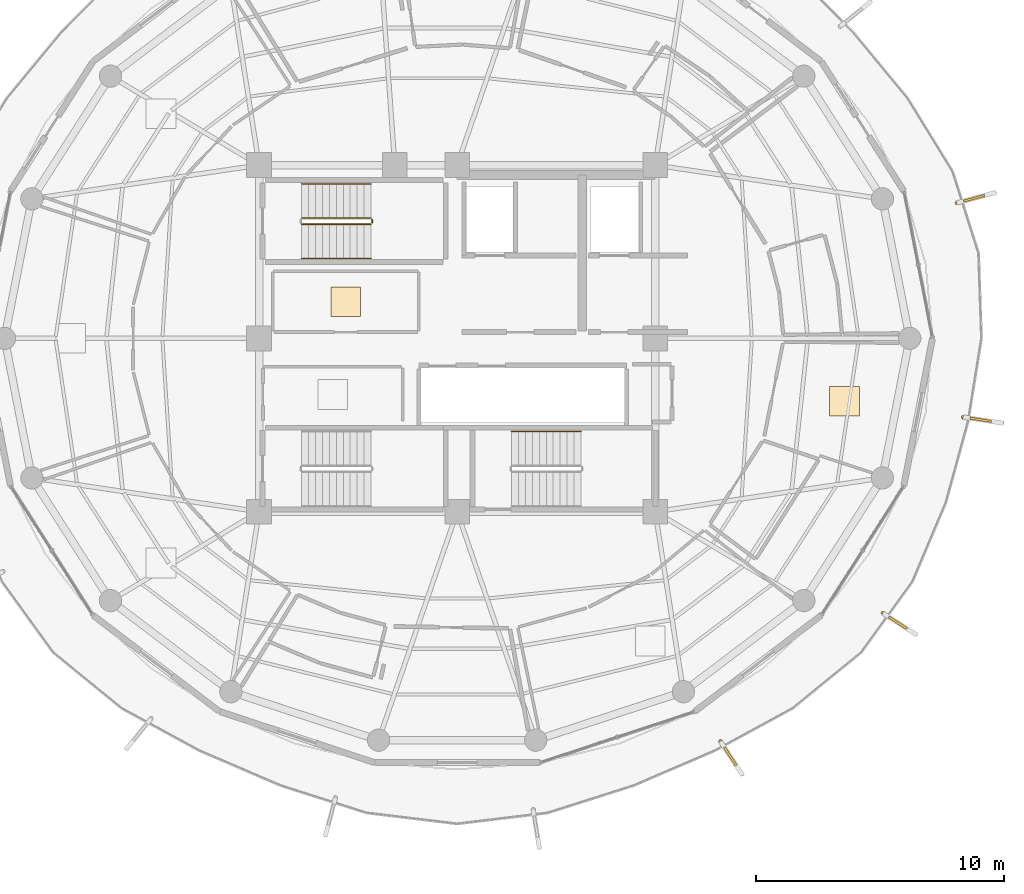
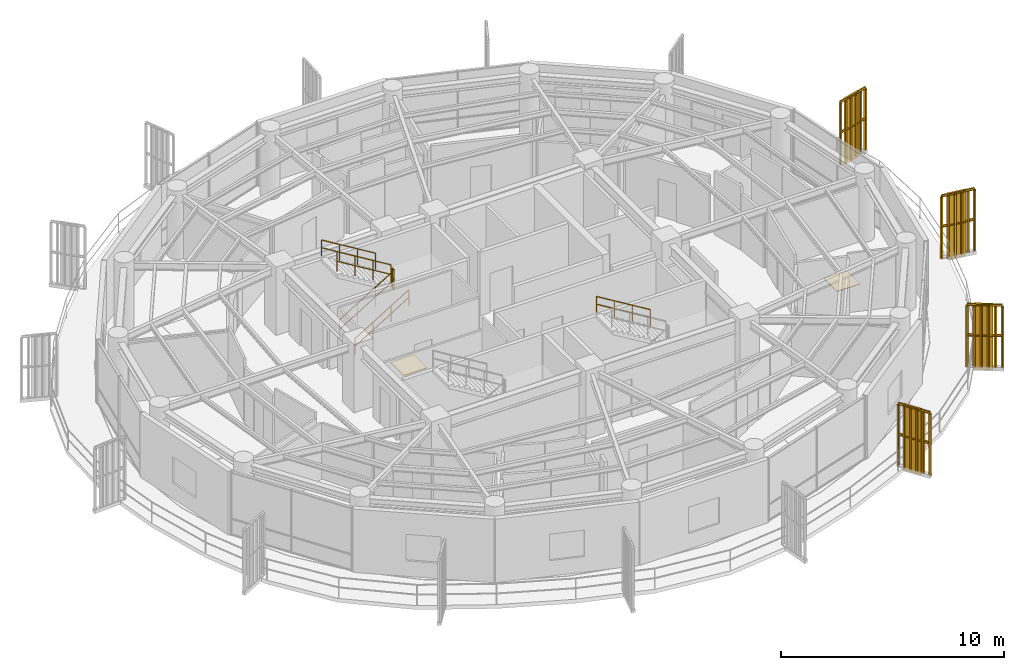
# One storey, part 22 of 23: 10 railings, 4 shading devices, 2 coverings.
"""IFC4 building model written with IfcOpenShell, lengths in metres."""

from ifc_helpers import new_model, si_unit, direction, frame, origin, origin_2d, place, context, subcontext, project, spatial, polyline, rectangle, outline, extrude, source, transform, mapped, material, layer, layer_set, type_object, element, save


model = new_model("IFC4")

# Units and contexts
model_context = context("Model", 3, precision=1e-05, world=origin(), true_north=direction((0.0, 1.0)))
body_context = subcontext(model_context, "Body", "Model", "MODEL_VIEW")
ifc_project = project(units=[si_unit("LENGTHUNIT", "METRE"), si_unit("AREAUNIT", "SQUARE_METRE"), si_unit("VOLUMEUNIT", "CUBIC_METRE"), si_unit("PLANEANGLEUNIT", "RADIAN"), si_unit("MASSUNIT", "GRAM", prefix="KILO")], contexts=[model_context])

# Site, building, storey
site_placement = place(None, origin())
site = spatial("IfcSite", under=ifc_project, at=site_placement, CompositionType="ELEMENT")
building_placement = place(site_placement, origin())
building = spatial("IfcBuilding", under=site, at=building_placement, Name="Kelanora Arch Commons", CompositionType="ELEMENT")
storey_placement = place(building_placement, frame((0.0, 0.0, 256.199951171875)))
storey = spatial("IfcBuildingStorey", under=building, at=storey_placement, Name="L65", CompositionType="ELEMENT", Elevation=256.199951171875)

# Railings
ifc_material_1 = material(Name="Anodised bronze vertical shading fin rib assembly")
railing_type_1 = type_object("IfcRailingType", Name="RAIL-FIN-BRZ", PredefinedType="BALUSTRADE", material=ifc_material_1)
railing_1_placement = place(storey_placement, frame((91.1953125, 46.90283203125, -0.02001953125)))
element("IfcRailing", 1, at=railing_1_placement, inside=storey, type_object=railing_type_1, Name="Sweeping Bronze Vertical Fin Blade L65-00", PredefinedType="BALUSTRADE", context=body_context, shape_type="SweptSolid", body=[
    extrude(outline(polyline([(0.06982421875, 0.0), (0.034912109375, 0.060546875), (-0.034912109375, 0.060546875), (-0.06982421875, 0.0), (-0.034912109375, -0.060546875), (0.034912109375, -0.060546875), (0.06982421875, 0.0)])), frame((0.0, 0.0, 3.419921875), z_axis=(0.840188208758, -0.542294914105, 0.0), x_axis=(0.542294914105, 0.840188208758, 0.0)), (0.0, 0.0, 1.0), 1.58837890625),
    extrude(outline(polyline([(0.06982421875, 0.0), (0.034912109375, 0.060546875), (-0.034912109375, 0.060546875), (-0.06982421875, 0.0), (-0.034912109375, -0.060546875), (0.034912109375, -0.060546875), (0.06982421875, 0.0)])), frame((0.0, 0.0, 1.7451171875), z_axis=(0.840188208758, -0.542294914105, 0.0), x_axis=(0.542294914105, 0.840188208758, 0.0)), (0.0, 0.0, 1.0), 1.58837890625),
    extrude(outline(polyline([(0.080078125, 0.0), (0.0400390625, 0.0693359375), (-0.0400390625, 0.0693359375), (-0.080078125, 0.0), (-0.0400390625, -0.0693359375), (0.0400390625, -0.0693359375), (0.080078125, 0.0)])), origin(), (0.0, 0.0, 1.0), 3.35009765625),
    extrude(outline(polyline([(0.080078125, 0.0), (0.0400390625, 0.0693359375), (-0.0400390625, 0.0693359375), (-0.080078125, 0.0), (-0.0400390625, -0.0693359375), (0.0400390625, -0.0693359375), (0.080078125, 0.0)])), frame((0.266845703125, -0.17236328125, 0.0)), (0.0, 0.0, 1.0), 3.35009765625),
    extrude(outline(polyline([(0.080078125, 0.0), (0.0400390625, 0.0693359375), (-0.0400390625, 0.0693359375), (-0.080078125, 0.0), (-0.0400390625, -0.0693359375), (0.0400390625, -0.0693359375), (0.080078125, 0.0)])), frame((0.53369140625, -0.344482421875, 0.0)), (0.0, 0.0, 1.0), 3.35009765625),
    extrude(outline(polyline([(0.080078125, 0.0), (0.0400390625, 0.0693359375), (-0.0400390625, 0.0693359375), (-0.080078125, 0.0), (-0.0400390625, -0.0693359375), (0.0400390625, -0.0693359375), (0.080078125, 0.0)])), frame((0.80078125, -0.516845703125, 0.0)), (0.0, 0.0, 1.0), 3.35009765625),
    extrude(outline(polyline([(0.080078125, 0.0), (0.0400390625, 0.0693359375), (-0.0400390625, 0.0693359375), (-0.080078125, 0.0), (-0.0400390625, -0.0693359375), (0.0400390625, -0.0693359375), (0.080078125, 0.0)])), frame((1.067626953125, -0.68896484375, 0.0)), (0.0, 0.0, 1.0), 3.35009765625),
    extrude(outline(polyline([(0.080078125, 0.0), (0.0400390625, 0.0693359375), (-0.0400390625, 0.0693359375), (-0.080078125, 0.0), (-0.0400390625, -0.0693359375), (0.0400390625, -0.0693359375), (0.080078125, 0.0)])), frame((1.33447265625, -0.861328125, 0.0)), (0.0, 0.0, 1.0), 3.35009765625),
])
railing_2_placement = place(storey_placement, frame((94.439208984375, 54.822265625, -0.02001953125)))
element("IfcRailing", 2, at=railing_2_placement, inside=storey, type_object=railing_type_1, Name="Sweeping Bronze Vertical Fin Blade L65-01", PredefinedType="BALUSTRADE", context=body_context, shape_type="SweptSolid", body=[
    extrude(outline(polyline([(0.06982421875, 0.0), (0.034912109375, 0.060546875), (-0.034912109375, 0.060546875), (-0.06982421875, 0.0), (-0.034912109375, -0.060546875), (0.034912109375, -0.060546875), (0.06982421875, 0.0)])), frame((0.0, 0.0, 3.419921875), z_axis=(0.988137731807, -0.153570254212, 0.0), x_axis=(0.153570254212, 0.988137731807, 0.0)), (0.0, 0.0, 1.0), 1.588134765625),
    extrude(outline(polyline([(0.06982421875, 0.0), (0.034912109375, 0.060546875), (-0.034912109375, 0.060546875), (-0.06982421875, 0.0), (-0.034912109375, -0.060546875), (0.034912109375, -0.060546875), (0.06982421875, 0.0)])), frame((0.0, 0.0, 1.7451171875), z_axis=(0.988137731807, -0.153570254212, 0.0), x_axis=(0.153570254212, 0.988137731807, 0.0)), (0.0, 0.0, 1.0), 1.588134765625),
    extrude(outline(polyline([(0.080078125, 0.0), (0.0400390625, 0.0693359375), (-0.0400390625, 0.0693359375), (-0.080078125, 0.0), (-0.0400390625, -0.0693359375), (0.0400390625, -0.0693359375), (0.080078125, 0.0)])), origin(), (0.0, 0.0, 1.0), 3.35009765625),
    extrude(outline(polyline([(0.080078125, 0.0), (0.0400390625, 0.0693359375), (-0.0400390625, 0.0693359375), (-0.080078125, 0.0), (-0.0400390625, -0.0693359375), (0.0400390625, -0.0693359375), (0.080078125, 0.0)])), frame((0.31396484375, -0.048828125, 0.0)), (0.0, 0.0, 1.0), 3.35009765625),
    extrude(outline(polyline([(0.080078125, 0.0), (0.0400390625, 0.0693359375), (-0.0400390625, 0.0693359375), (-0.080078125, 0.0), (-0.0400390625, -0.0693359375), (0.0400390625, -0.0693359375), (0.080078125, 0.0)])), frame((0.627685546875, -0.09765625, 0.0)), (0.0, 0.0, 1.0), 3.35009765625),
    extrude(outline(polyline([(0.080078125, 0.0), (0.0400390625, 0.0693359375), (-0.0400390625, 0.0693359375), (-0.080078125, 0.0), (-0.0400390625, -0.0693359375), (0.0400390625, -0.0693359375), (0.080078125, 0.0)])), frame((0.941650390625, -0.146240234375, 0.0)), (0.0, 0.0, 1.0), 3.35009765625),
    extrude(outline(polyline([(0.080078125, 0.0), (0.0400390625, 0.0693359375), (-0.0400390625, 0.0693359375), (-0.080078125, 0.0), (-0.0400390625, -0.0693359375), (0.0400390625, -0.0693359375), (0.080078125, 0.0)])), frame((1.25537109375, -0.195068359375, 0.0)), (0.0, 0.0, 1.0), 3.35009765625),
    extrude(outline(polyline([(0.080078125, 0.0), (0.0400390625, 0.0693359375), (-0.0400390625, 0.0693359375), (-0.080078125, 0.0), (-0.0400390625, -0.0693359375), (0.0400390625, -0.0693359375), (0.080078125, 0.0)])), frame((1.5693359375, -0.243896484375, 0.0)), (0.0, 0.0, 1.0), 3.35009765625),
])
railing_3_placement = place(storey_placement, frame((94.18310546875, 63.469482421875, -0.02001953125)))
element("IfcRailing", 3, at=railing_3_placement, inside=storey, type_object=railing_type_1, Name="Sweeping Bronze Vertical Fin Blade L65-02", PredefinedType="BALUSTRADE", context=body_context, shape_type="SweptSolid", body=[
    extrude(outline(polyline([(0.06982421875, 0.0), (0.034912109375, 0.060546875), (-0.034912109375, 0.060546875), (-0.06982421875, 0.0), (-0.034912109375, -0.060546875), (0.034912109375, -0.060546875), (0.06982421875, 0.0)])), frame((0.0, 0.0, 3.419921875), z_axis=(0.96517059521, 0.2616213335, 0.0), x_axis=(-0.2616213335, 0.96517059521, 0.0)), (0.0, 0.0, 1.0), 1.58837890625),
    extrude(outline(polyline([(0.06982421875, 0.0), (0.034912109375, 0.060546875), (-0.034912109375, 0.060546875), (-0.06982421875, 0.0), (-0.034912109375, -0.060546875), (0.034912109375, -0.060546875), (0.06982421875, 0.0)])), frame((0.0, 0.0, 1.7451171875), z_axis=(0.96517059521, 0.2616213335, 0.0), x_axis=(-0.2616213335, 0.96517059521, 0.0)), (0.0, 0.0, 1.0), 1.58837890625),
    extrude(outline(polyline([(0.080078125, 0.0), (0.0400390625, 0.0693359375), (-0.0400390625, 0.0693359375), (-0.080078125, 0.0), (-0.0400390625, -0.0693359375), (0.0400390625, -0.0693359375), (0.080078125, 0.0)])), origin(), (0.0, 0.0, 1.0), 3.35009765625),
    extrude(outline(polyline([(0.080078125, 0.0), (0.0400390625, 0.0693359375), (-0.0400390625, 0.0693359375), (-0.080078125, 0.0), (-0.0400390625, -0.0693359375), (0.0400390625, -0.0693359375), (0.080078125, 0.0)])), frame((0.306640625, 0.0830078125, 0.0)), (0.0, 0.0, 1.0), 3.35009765625),
    extrude(outline(polyline([(0.080078125, 0.0), (0.0400390625, 0.0693359375), (-0.0400390625, 0.0693359375), (-0.080078125, 0.0), (-0.0400390625, -0.0693359375), (0.0400390625, -0.0693359375), (0.080078125, 0.0)])), frame((0.61328125, 0.166259765625, 0.0)), (0.0, 0.0, 1.0), 3.35009765625),
    extrude(outline(polyline([(0.080078125, 0.0), (0.0400390625, 0.0693359375), (-0.0400390625, 0.0693359375), (-0.080078125, 0.0), (-0.0400390625, -0.0693359375), (0.0400390625, -0.0693359375), (0.080078125, 0.0)])), frame((0.919677734375, 0.249267578125, 0.0)), (0.0, 0.0, 1.0), 3.35009765625),
    extrude(outline(polyline([(0.080078125, 0.0), (0.0400390625, 0.0693359375), (-0.0400390625, 0.0693359375), (-0.080078125, 0.0), (-0.0400390625, -0.0693359375), (0.0400390625, -0.0693359375), (0.080078125, 0.0)])), frame((1.226318359375, 0.33251953125, 0.0)), (0.0, 0.0, 1.0), 3.35009765625),
    extrude(outline(polyline([(0.080078125, 0.0), (0.0400390625, 0.0693359375), (-0.0400390625, 0.0693359375), (-0.080078125, 0.0), (-0.0400390625, -0.0693359375), (0.0400390625, -0.0693359375), (0.080078125, 0.0)])), frame((1.532958984375, 0.41552734375, 0.0)), (0.0, 0.0, 1.0), 3.35009765625),
])
railing_4_placement = place(storey_placement, frame((84.63525390625, 41.724609375, -0.02001953125)))
element("IfcRailing", 4, at=railing_4_placement, inside=storey, type_object=railing_type_1, Name="Sweeping Bronze Vertical Fin Blade L65-14", PredefinedType="BALUSTRADE", context=body_context, shape_type="SweptSolid", body=[
    extrude(outline(polyline([(0.06982421875, 0.0), (0.034912109375, 0.060546875), (-0.034912109375, 0.060546875), (-0.06982421875, 0.0), (-0.034912109375, -0.060546875), (0.034912109375, -0.060546875), (0.06982421875, 0.0)])), frame((0.0, 0.0, 3.419921875), z_axis=(0.54705056111, -0.837099566115, 0.0), x_axis=(0.837099566115, 0.54705056111, 0.0)), (0.0, 0.0, 1.0), 1.58837890625),
    extrude(outline(polyline([(0.06982421875, 0.0), (0.034912109375, 0.060546875), (-0.034912109375, 0.060546875), (-0.06982421875, 0.0), (-0.034912109375, -0.060546875), (0.034912109375, -0.060546875), (0.06982421875, 0.0)])), frame((0.0, 0.0, 1.7451171875), z_axis=(0.54705056111, -0.837099566115, 0.0), x_axis=(0.837099566115, 0.54705056111, 0.0)), (0.0, 0.0, 1.0), 1.58837890625),
    extrude(outline(polyline([(0.080078125, 0.0), (0.0400390625, 0.0693359375), (-0.0400390625, 0.0693359375), (-0.080078125, 0.0), (-0.0400390625, -0.0693359375), (0.0400390625, -0.0693359375), (0.080078125, 0.0)])), origin(), (0.0, 0.0, 1.0), 3.35009765625),
    extrude(outline(polyline([(0.080078125, 0.0), (0.0400390625, 0.0693359375), (-0.0400390625, 0.0693359375), (-0.080078125, 0.0), (-0.0400390625, -0.0693359375), (0.0400390625, -0.0693359375), (0.080078125, 0.0)])), frame((0.173828125, -0.265869140625, 0.0)), (0.0, 0.0, 1.0), 3.35009765625),
    extrude(outline(polyline([(0.080078125, 0.0), (0.0400390625, 0.0693359375), (-0.0400390625, 0.0693359375), (-0.080078125, 0.0), (-0.0400390625, -0.0693359375), (0.0400390625, -0.0693359375), (0.080078125, 0.0)])), frame((0.34765625, -0.53173828125, 0.0)), (0.0, 0.0, 1.0), 3.35009765625),
    extrude(outline(polyline([(0.080078125, 0.0), (0.0400390625, 0.0693359375), (-0.0400390625, 0.0693359375), (-0.080078125, 0.0), (-0.0400390625, -0.0693359375), (0.0400390625, -0.0693359375), (0.080078125, 0.0)])), frame((0.521240234375, -0.7978515625, 0.0)), (0.0, 0.0, 1.0), 3.35009765625),
    extrude(outline(polyline([(0.080078125, 0.0), (0.0400390625, 0.0693359375), (-0.0400390625, 0.0693359375), (-0.080078125, 0.0), (-0.0400390625, -0.0693359375), (0.0400390625, -0.0693359375), (0.080078125, 0.0)])), frame((0.695068359375, -1.063720703125, 0.0)), (0.0, 0.0, 1.0), 3.35009765625),
    extrude(outline(polyline([(0.080078125, 0.0), (0.0400390625, 0.0693359375), (-0.0400390625, 0.0693359375), (-0.080078125, 0.0), (-0.0400390625, -0.0693359375), (0.0400390625, -0.0693359375), (0.080078125, 0.0)])), frame((0.868896484375, -1.32958984375, 0.0)), (0.0, 0.0, 1.0), 3.35009765625),
])
ifc_material_2 = material(Name="Painted steel stair well guard", Category="steel")
railing_type_2 = type_object("IfcRailingType", Name="RAIL-STAIR-GRD", PredefinedType="GUARDRAIL", material=ifc_material_2)
railing_5_placement = place(storey_placement, frame((67.719970703125, 62.610107421875, 0.17041015625)))
element("IfcRailing", 5, at=railing_5_placement, inside=storey, type_object=railing_type_2, Name="L65 ST-T1 stair guard 1", PredefinedType="GUARDRAIL", context=body_context, shape_type="SweptSolid", body=[
    extrude(outline(polyline([(0.02392578125, 0.0), (0.011962890625, 0.020751953125), (-0.011962890625, 0.020751953125), (-0.02392578125, 0.0), (-0.011962890625, -0.020751953125), (0.011962890625, -0.020751953125), (0.02392578125, 0.0)])), frame((0.0, 0.0, 1.076171875), z_axis=(0.854169791009, 0.0, 0.51999420009), x_axis=(0.0, 1.0, 0.0)), (0.0, 0.0, 1.0), 3.278076171875),
    extrude(outline(polyline([(0.02392578125, 0.0), (0.011962890625, 0.020751953125), (-0.011962890625, 0.020751953125), (-0.02392578125, 0.0), (-0.011962890625, -0.020751953125), (0.011962890625, -0.020751953125), (0.02392578125, 0.0)])), frame((0.0, 0.0, 0.550048828125), z_axis=(0.854169791009, 0.0, 0.51999420009), x_axis=(0.0, 1.0, 0.0)), (0.0, 0.0, 1.0), 3.278076171875),
    extrude(outline(polyline([(0.02099609375, 0.0), (0.010498046875, 0.01806640625), (-0.010498046875, 0.01806640625), (-0.02099609375, 0.0), (-0.010498046875, -0.01806640625), (0.010498046875, -0.01806640625), (0.02099609375, 0.0)])), origin(), (0.0, 0.0, 1.0), 1.052001953125),
    extrude(outline(polyline([(0.02099609375, 0.0), (0.010498046875, 0.01806640625), (-0.010498046875, 0.01806640625), (-0.02099609375, 0.0), (-0.010498046875, -0.01806640625), (0.010498046875, -0.01806640625), (0.02099609375, 0.0)])), frame((0.933349609375, 0.0, 0.568115234375)), (0.0, 0.0, 1.0), 1.052001953125),
    extrude(outline(polyline([(0.02099609375, 0.0), (0.010498046875, 0.01806640625), (-0.010498046875, 0.01806640625), (-0.02099609375, 0.0), (-0.010498046875, -0.01806640625), (0.010498046875, -0.01806640625), (0.02099609375, 0.0)])), frame((1.86669921875, 0.0, 1.136474609375)), (0.0, 0.0, 1.0), 1.052001953125),
    extrude(outline(polyline([(0.02099609375, 0.0), (0.010498046875, 0.01806640625), (-0.010498046875, 0.01806640625), (-0.02099609375, 0.0), (-0.010498046875, -0.01806640625), (0.010498046875, -0.01806640625), (0.02099609375, 0.0)])), frame((2.800048828125, 0.0, 1.70458984375)), (0.0, 0.0, 1.0), 1.052001953125),
])
railing_6_placement = place(storey_placement, frame((70.570068359375, 62.659912109375, 1.875)))
element("IfcRailing", 6, at=railing_6_placement, inside=storey, type_object=railing_type_2, Name="L65 ST-T1 stair guard 2", PredefinedType="GUARDRAIL", context=body_context, shape_type="SweptSolid", body=[
    extrude(outline(polyline([(0.02392578125, 0.0), (0.011962890625, 0.020751953125), (-0.011962890625, 0.020751953125), (-0.02392578125, 0.0), (-0.011962890625, -0.020751953125), (0.011962890625, -0.020751953125), (0.02392578125, 0.0)])), frame((0.0, 0.0, 1.076171875), z_axis=(0.0, 1.0, 0.0), x_axis=(-1.0, 0.0, 0.0)), (0.0, 0.0, 1.0), 0.150146484375),
    extrude(outline(polyline([(0.02392578125, 0.0), (0.011962890625, 0.020751953125), (-0.011962890625, 0.020751953125), (-0.02392578125, 0.0), (-0.011962890625, -0.020751953125), (0.011962890625, -0.020751953125), (0.02392578125, 0.0)])), frame((0.0, 0.0, 0.550048828125), z_axis=(0.0, 1.0, 0.0), x_axis=(-1.0, 0.0, 0.0)), (0.0, 0.0, 1.0), 0.150146484375),
    extrude(outline(polyline([(0.02099609375, 0.0), (0.010498046875, 0.01806640625), (-0.010498046875, 0.01806640625), (-0.02099609375, 0.0), (-0.010498046875, -0.01806640625), (0.010498046875, -0.01806640625), (0.02099609375, 0.0)])), origin(), (0.0, 0.0, 1.0), 1.052001953125),
    extrude(outline(polyline([(0.02099609375, 0.0), (0.010498046875, 0.01806640625), (-0.010498046875, 0.01806640625), (-0.02099609375, 0.0), (-0.010498046875, -0.01806640625), (0.010498046875, -0.01806640625), (0.02099609375, 0.0)])), frame((0.0, 0.150146484375, 0.0)), (0.0, 0.0, 1.0), 1.052001953125),
])
railing_7_placement = place(storey_placement, frame((70.52001953125, 62.860107421875, 2.04541015625)))
element("IfcRailing", 7, at=railing_7_placement, inside=storey, type_object=railing_type_2, Name="L65 ST-T1 stair guard 3", PredefinedType="GUARDRAIL", context=body_context, shape_type="SweptSolid", body=[
    extrude(outline(polyline([(0.02392578125, 0.0), (0.011962890625, 0.020751953125), (-0.011962890625, 0.020751953125), (-0.02392578125, 0.0), (-0.011962890625, -0.020751953125), (0.011962890625, -0.020751953125), (0.02392578125, 0.0)])), frame((0.0, 0.0, 1.076171875), z_axis=(-0.854169791009, 0.0, 0.51999420009), x_axis=(0.0, -1.0, 0.0)), (0.0, 0.0, 1.0), 3.278076171875),
    extrude(outline(polyline([(0.02392578125, 0.0), (0.011962890625, 0.020751953125), (-0.011962890625, 0.020751953125), (-0.02392578125, 0.0), (-0.011962890625, -0.020751953125), (0.011962890625, -0.020751953125), (0.02392578125, 0.0)])), frame((0.0, 0.0, 0.550048828125), z_axis=(-0.854169791009, 0.0, 0.51999420009), x_axis=(0.0, -1.0, 0.0)), (0.0, 0.0, 1.0), 3.278076171875),
    extrude(outline(polyline([(0.02099609375, 0.0), (0.010498046875, 0.01806640625), (-0.010498046875, 0.01806640625), (-0.02099609375, 0.0), (-0.010498046875, -0.01806640625), (0.010498046875, -0.01806640625), (0.02099609375, 0.0)])), origin(), (0.0, 0.0, 1.0), 1.052001953125),
    extrude(outline(polyline([(0.02099609375, 0.0), (0.010498046875, 0.01806640625), (-0.010498046875, 0.01806640625), (-0.02099609375, 0.0), (-0.010498046875, -0.01806640625), (0.010498046875, -0.01806640625), (0.02099609375, 0.0)])), frame((-0.933349609375, 0.0, 0.568115234375)), (0.0, 0.0, 1.0), 1.052001953125),
    extrude(outline(polyline([(0.02099609375, 0.0), (0.010498046875, 0.01806640625), (-0.010498046875, 0.01806640625), (-0.02099609375, 0.0), (-0.010498046875, -0.01806640625), (0.010498046875, -0.01806640625), (0.02099609375, 0.0)])), frame((-1.86669921875, 0.0, 1.136474609375)), (0.0, 0.0, 1.0), 1.052001953125),
    extrude(outline(polyline([(0.02099609375, 0.0), (0.010498046875, 0.01806640625), (-0.010498046875, 0.01806640625), (-0.02099609375, 0.0), (-0.010498046875, -0.01806640625), (0.010498046875, -0.01806640625), (0.02099609375, 0.0)])), frame((-2.800048828125, 0.0, 1.70458984375)), (0.0, 0.0, 1.0), 1.052001953125),
])
ifc_material_3 = material(Name="Brushed stainless steel stair handrail", Category="steel")
railing_type_3 = type_object("IfcRailingType", Name="RAIL-STAIR-HND", PredefinedType="HANDRAIL", material=ifc_material_3)
railing_8_placement = place(storey_placement, frame((67.719970703125, 61.22998046875, 0.17041015625)))
element("IfcRailing", 8, at=railing_8_placement, inside=storey, type_object=railing_type_3, Name="L65 ST-T1 stair handrail 1", PredefinedType="HANDRAIL", context=body_context, shape_type="SweptSolid", body=[
    extrude(outline(polyline([(0.02392578125, 0.0), (0.011962890625, 0.020751953125), (-0.011962890625, 0.020751953125), (-0.02392578125, 0.0), (-0.011962890625, -0.020751953125), (0.011962890625, -0.020751953125), (0.02392578125, 0.0)])), frame((0.0, 0.0, 0.8759765625), z_axis=(0.854169791009, 0.0, 0.51999420009), x_axis=(0.0, 1.0, 0.0)), (0.0, 0.0, 1.0), 3.278076171875),
    extrude(outline(polyline([(0.02392578125, 0.0), (0.011962890625, 0.020751953125), (-0.011962890625, 0.020751953125), (-0.02392578125, 0.0), (-0.011962890625, -0.020751953125), (0.011962890625, -0.020751953125), (0.02392578125, 0.0)])), frame((0.0, 0.0, 0.449951171875), z_axis=(0.854169791009, 0.0, 0.51999420009), x_axis=(0.0, 1.0, 0.0)), (0.0, 0.0, 1.0), 3.278076171875),
    extrude(outline(polyline([(0.02099609375, 0.0), (0.010498046875, 0.01806640625), (-0.010498046875, 0.01806640625), (-0.02099609375, 0.0), (-0.010498046875, -0.01806640625), (0.010498046875, -0.01806640625), (0.02099609375, 0.0)])), origin(), (0.0, 0.0, 1.0), 0.851806640625),
    extrude(outline(polyline([(0.02099609375, 0.0), (0.010498046875, 0.01806640625), (-0.010498046875, 0.01806640625), (-0.02099609375, 0.0), (-0.010498046875, -0.01806640625), (0.010498046875, -0.01806640625), (0.02099609375, 0.0)])), frame((0.933349609375, 0.0, 0.568115234375)), (0.0, 0.0, 1.0), 0.851806640625),
    extrude(outline(polyline([(0.02099609375, 0.0), (0.010498046875, 0.01806640625), (-0.010498046875, 0.01806640625), (-0.02099609375, 0.0), (-0.010498046875, -0.01806640625), (0.010498046875, -0.01806640625), (0.02099609375, 0.0)])), frame((1.86669921875, 0.0, 1.136474609375)), (0.0, 0.0, 1.0), 0.851806640625),
    extrude(outline(polyline([(0.02099609375, 0.0), (0.010498046875, 0.01806640625), (-0.010498046875, 0.01806640625), (-0.02099609375, 0.0), (-0.010498046875, -0.01806640625), (0.010498046875, -0.01806640625), (0.02099609375, 0.0)])), frame((2.800048828125, 0.0, 1.70458984375)), (0.0, 0.0, 1.0), 0.851806640625),
])
railing_9_placement = place(storey_placement, frame((70.52001953125, 64.239990234375, 2.04541015625)))
element("IfcRailing", 9, at=railing_9_placement, inside=storey, type_object=railing_type_3, Name="L65 ST-T1 stair handrail 2", PredefinedType="HANDRAIL", context=body_context, shape_type="SweptSolid", body=[
    extrude(outline(polyline([(0.02392578125, 0.0), (0.011962890625, 0.020751953125), (-0.011962890625, 0.020751953125), (-0.02392578125, 0.0), (-0.011962890625, -0.020751953125), (0.011962890625, -0.020751953125), (0.02392578125, 0.0)])), frame((0.0, 0.0, 0.8759765625), z_axis=(-0.854169791009, 0.0, 0.51999420009), x_axis=(0.0, -1.0, 0.0)), (0.0, 0.0, 1.0), 3.278076171875),
    extrude(outline(polyline([(0.02392578125, 0.0), (0.011962890625, 0.020751953125), (-0.011962890625, 0.020751953125), (-0.02392578125, 0.0), (-0.011962890625, -0.020751953125), (0.011962890625, -0.020751953125), (0.02392578125, 0.0)])), frame((0.0, 0.0, 0.449951171875), z_axis=(-0.854169791009, 0.0, 0.51999420009), x_axis=(0.0, -1.0, 0.0)), (0.0, 0.0, 1.0), 3.278076171875),
    extrude(outline(polyline([(0.02099609375, 0.0), (0.010498046875, 0.01806640625), (-0.010498046875, 0.01806640625), (-0.02099609375, 0.0), (-0.010498046875, -0.01806640625), (0.010498046875, -0.01806640625), (0.02099609375, 0.0)])), origin(), (0.0, 0.0, 1.0), 0.851806640625),
    extrude(outline(polyline([(0.02099609375, 0.0), (0.010498046875, 0.01806640625), (-0.010498046875, 0.01806640625), (-0.02099609375, 0.0), (-0.010498046875, -0.01806640625), (0.010498046875, -0.01806640625), (0.02099609375, 0.0)])), frame((-0.933349609375, 0.0, 0.568115234375)), (0.0, 0.0, 1.0), 0.851806640625),
    extrude(outline(polyline([(0.02099609375, 0.0), (0.010498046875, 0.01806640625), (-0.010498046875, 0.01806640625), (-0.02099609375, 0.0), (-0.010498046875, -0.01806640625), (0.010498046875, -0.01806640625), (0.02099609375, 0.0)])), frame((-1.86669921875, 0.0, 1.136474609375)), (0.0, 0.0, 1.0), 0.851806640625),
    extrude(outline(polyline([(0.02099609375, 0.0), (0.010498046875, 0.01806640625), (-0.010498046875, 0.01806640625), (-0.02099609375, 0.0), (-0.010498046875, -0.01806640625), (0.010498046875, -0.01806640625), (0.02099609375, 0.0)])), frame((-2.800048828125, 0.0, 1.70458984375)), (0.0, 0.0, 1.0), 0.851806640625),
])
railing_10_placement = place(storey_placement, frame((79.0, 54.239990234375, 2.04541015625)))
element("IfcRailing", 10, at=railing_10_placement, inside=storey, type_object=railing_type_3, Name="L65 ST-T2 stair handrail 2", PredefinedType="HANDRAIL", context=body_context, shape_type="SweptSolid", body=[
    extrude(outline(polyline([(0.02392578125, 0.0), (0.011962890625, 0.020751953125), (-0.011962890625, 0.020751953125), (-0.02392578125, 0.0), (-0.011962890625, -0.020751953125), (0.011962890625, -0.020751953125), (0.02392578125, 0.0)])), frame((0.0, 0.0, 0.8759765625), z_axis=(-0.854169791009, 0.0, 0.51999420009), x_axis=(0.0, -1.0, 0.0)), (0.0, 0.0, 1.0), 3.278076171875),
    extrude(outline(polyline([(0.02392578125, 0.0), (0.011962890625, 0.020751953125), (-0.011962890625, 0.020751953125), (-0.02392578125, 0.0), (-0.011962890625, -0.020751953125), (0.011962890625, -0.020751953125), (0.02392578125, 0.0)])), frame((0.0, 0.0, 0.449951171875), z_axis=(-0.854169791009, 0.0, 0.51999420009), x_axis=(0.0, -1.0, 0.0)), (0.0, 0.0, 1.0), 3.278076171875),
    extrude(outline(polyline([(0.02099609375, 0.0), (0.010498046875, 0.01806640625), (-0.010498046875, 0.01806640625), (-0.02099609375, 0.0), (-0.010498046875, -0.01806640625), (0.010498046875, -0.01806640625), (0.02099609375, 0.0)])), origin(), (0.0, 0.0, 1.0), 0.851806640625),
    extrude(outline(polyline([(0.02099609375, 0.0), (0.010498046875, 0.01806640625), (-0.010498046875, 0.01806640625), (-0.02099609375, 0.0), (-0.010498046875, -0.01806640625), (0.010498046875, -0.01806640625), (0.02099609375, 0.0)])), frame((-0.933349609375, 0.0, 0.568115234375)), (0.0, 0.0, 1.0), 0.851806640625),
    extrude(outline(polyline([(0.02099609375, 0.0), (0.010498046875, 0.01806640625), (-0.010498046875, 0.01806640625), (-0.02099609375, 0.0), (-0.010498046875, -0.01806640625), (0.010498046875, -0.01806640625), (0.02099609375, 0.0)])), frame((-1.86669921875, 0.0, 1.136474609375)), (0.0, 0.0, 1.0), 0.851806640625),
    extrude(outline(polyline([(0.02099609375, 0.0), (0.010498046875, 0.01806640625), (-0.010498046875, 0.01806640625), (-0.02099609375, 0.0), (-0.010498046875, -0.01806640625), (0.010498046875, -0.01806640625), (0.02099609375, 0.0)])), frame((-2.800048828125, 0.0, 1.70458984375)), (0.0, 0.0, 1.0), 0.851806640625),
])

# Shading devices
ifc_material_4 = material(Name="Terracotta ceramic-clad extruded aluminium fin", Category="masonry")
shading_device_type = type_object("IfcShadingDeviceType", Name="SHD-FIN-FLARE", PredefinedType="USERDEFINED", material=ifc_material_4)
shared_shape_1 = source(origin(), body_context, "Body", "SweptSolid", [
    extrude(rectangle(XDim=0.8798828125, YDim=0.090087890625, at=origin_2d()), origin(), (0.0, 0.0, 1.0), 3.610107421875),
])
for number, where, z_axis, x_axis, name in (
    (11, (91.800048828125, 46.51220703125, -0.14013671875), (0.0, 0.0, 1.0), (0.840188215011, -0.542294904417, 0.0), "Sweeping Terracotta Fin L65-00"),
    (12, (95.150634765625, 54.711669921875, -0.14013671875), (0.0, 0.0, 1.0), (0.988121336368, -0.153675712507, 0.0), "Sweeping Terracotta Fin L65-01"),
    (13, (94.8779296875, 63.657958984375, -0.14013671875), (0.0, 0.0, 1.0), (0.965199301866, 0.261515406195, 0.0), "Sweeping Terracotta Fin L65-02"),
    (14, (85.029052734375, 41.121826171875, -0.14013671875), (0.0, 0.0, 1.0), (0.546978918409, -0.837146380758, 0.0), "Sweeping Terracotta Fin L65-14"),
):
    element("IfcShadingDevice", number, at=place(storey_placement, frame(where, z_axis=z_axis, x_axis=x_axis)), inside=storey, type_object=shading_device_type, Name=name, ObjectType="FIN", PredefinedType="USERDEFINED", context=body_context, shape_type="MappedRepresentation", body=[
        mapped(shared_shape_1, transform((0.0, 0.0, 0.0), scale=1.0)),
    ])

# Coverings
ifc_material_5 = material(Name="Polished local granite terrazzo flooring", Category="masonry")
ifc_layer = layer(ifc_material_5, 0.030029296875)
ifc_layer_set = layer_set([ifc_layer], Name="Polished local granite terrazzo flooring")
covering_type = type_object("IfcCoveringType", Name="COV-FLR-TER", PredefinedType="FLOORING", material=ifc_layer_set)
shared_shape_2 = source(origin(), body_context, "Body", "SweptSolid", [
    extrude(rectangle(XDim=1.199951171875, YDim=1.199951171875, at=origin_2d()), origin(), (0.0, 0.0, 1.0), 0.030029296875),
])
for number, where, z_axis, x_axis, name in (
    (15, (69.5, 59.485107421875, 0.0), (0.0, 0.0, 1.0), (1.0, 0.0, 0.0), "Reclaimed Core Study Pod Lounge L65 Terrazzo Finish"),
    (16, (89.642822265625, 55.456298828125, 0.0), (0.0, 0.0, 1.0), (1.0, 0.0, 0.0), "Tutorial Study Alcove L65-09 Terrazzo Finish"),
):
    element("IfcCovering", number, at=place(storey_placement, frame(where, z_axis=z_axis, x_axis=x_axis)), inside=storey, type_object=covering_type, Name=name, PredefinedType="FLOORING", context=body_context, shape_type="MappedRepresentation", body=[
        mapped(shared_shape_2, transform((0.0, 0.0, 0.0), scale=1.0)),
    ])

save(model, "model.ifc")
